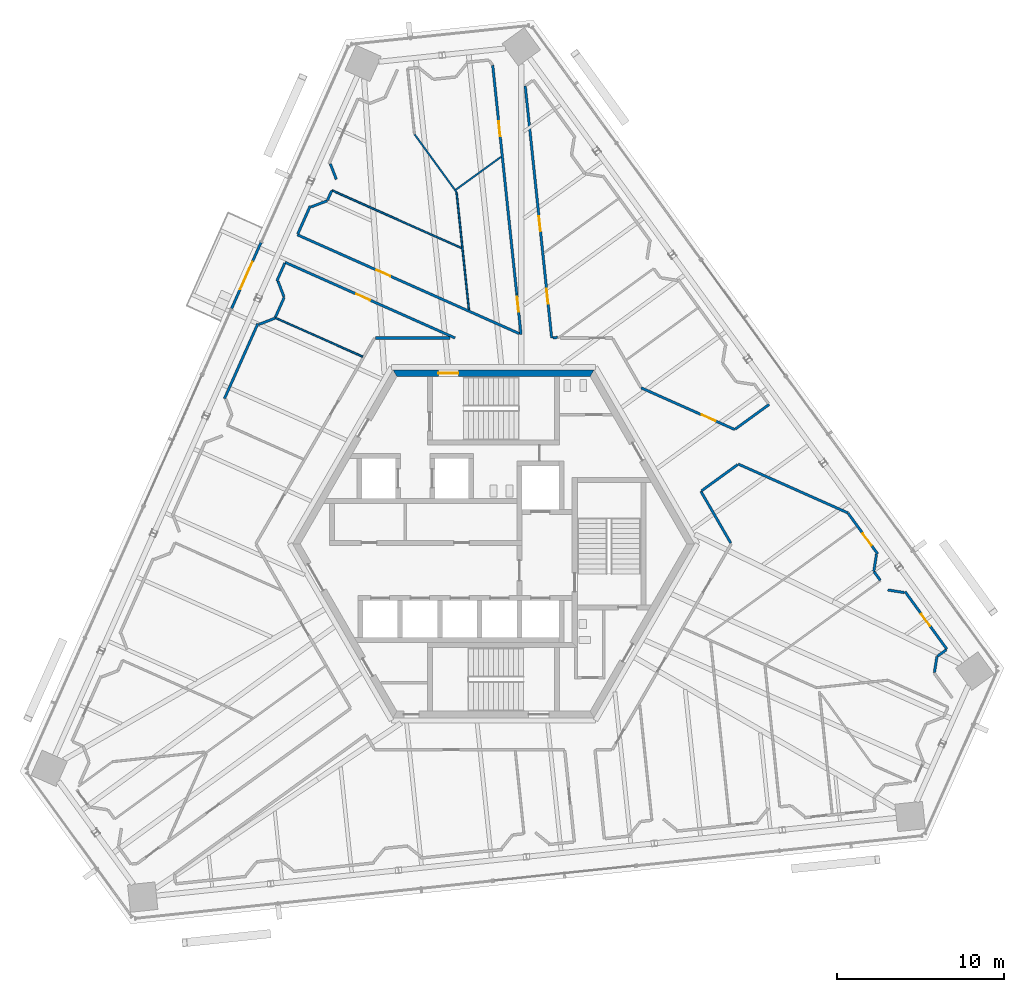
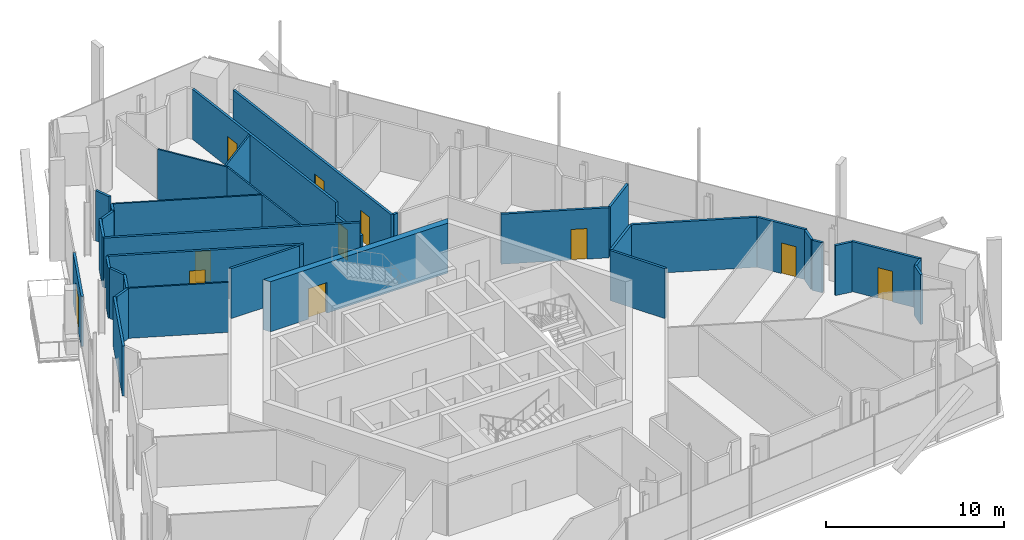
# One storey, part 14 of 21: 35 walls, 11 doors, 11 openings.
"""IFC4 building model written with IfcOpenShell, lengths in metres."""

from ifc_helpers import new_model, si_unit, direction, frame, frame_2d, origin, place, context, subcontext, project, spatial, polyline, rectangle, outline, extrude, source, transform, mapped, material, layer, layer_set, type_object, element, fill, save


model = new_model("IFC4")

# Units and contexts
model_context = context("Model", 3, precision=1e-05, world=origin(), true_north=direction((0.0, 1.0)))
body_context = subcontext(model_context, "Body", "Model", "MODEL_VIEW")
ifc_project = project(units=[si_unit("LENGTHUNIT", "METRE"), si_unit("AREAUNIT", "SQUARE_METRE"), si_unit("VOLUMEUNIT", "CUBIC_METRE"), si_unit("PLANEANGLEUNIT", "RADIAN"), si_unit("MASSUNIT", "GRAM", prefix="KILO")], contexts=[model_context])

# Site, building, storey
site_placement = place(None, origin())
site = spatial("IfcSite", under=ifc_project, at=site_placement, CompositionType="ELEMENT")
building_placement = place(site_placement, origin())
building = spatial("IfcBuilding", under=site, at=building_placement, Name="Triune Harvest Tower", CompositionType="ELEMENT")
storey_placement = place(building_placement, frame((0.0, 0.0, 248.5)))
storey = spatial("IfcBuildingStorey", under=building, at=storey_placement, Name="L65", CompositionType="ELEMENT", Elevation=248.5)

# Wall, opening, door
ifc_material_1 = material(Name="Gypsum board on steel studs", Category="steel")
ifc_layer_1 = layer(ifc_material_1, 0.14990234375)
ifc_layer_set_1 = layer_set([ifc_layer_1], Name="Gypsum board on steel studs")
wall_type_1 = type_object("IfcWallType", Name="Fire Partition 150 mm", PredefinedType="PARTITIONING", material=ifc_layer_set_1)
wall_1_placement = place(storey_placement, frame((-0.047607421875, 28.57568359375, 0.0), z_axis=(0.0, 0.0, 1.0), x_axis=(0.104541405627, -0.994520534986, 0.0)))
wall_1 = element("IfcWall", 1, at=wall_1_placement, inside=storey, type_object=wall_type_1, Name="Partition L65 005", PredefinedType="PARTITIONING", context=body_context, shape_type="SweptSolid", body=[
    extrude(rectangle(XDim=13.73876953125, YDim=0.14990234375, at=frame_2d((6.869384765625, 0.0))), origin(), (0.0, 0.0, 1.0), 3.43994140625),
])
opening_1_placement = place(wall_1_placement, frame((3.366943359375, 0.0, 0.0)))
opening_1 = element("IfcOpeningElement", 2, at=opening_1_placement, cuts=wall_1, Name="Opening L65-009", PredefinedType="OPENING", context=body_context, shape_type="SweptSolid", body=[
    extrude(rectangle(XDim=0.89990234375, YDim=2.10009765625, at=frame_2d((0.449951171875, 1.050048828125))), frame((0.0, 0.0849609375, 0.0), z_axis=(0.0, -1.0, 0.0), x_axis=(1.0, 0.0, 0.0)), (0.0, 0.0, 1.0), 0.169921875),
])
ifc_material_2 = material(Name="Timber and steel door set", Category="steel")
door_type_1 = type_object("IfcDoorType", Name="Single leaf door FD30 right hand 900 x 2100", OperationType="SINGLE_SWING_RIGHT", PredefinedType="DOOR", material=ifc_material_2)
door_1_placement = place(opening_1_placement, origin())
door_1 = element("IfcDoor", 3, at=door_1_placement, inside=storey, type_object=door_type_1, Name="Door L65-009 Pantry 65.09", OperationType="SINGLE_SWING_RIGHT", OverallHeight=2.10009765625, OverallWidth=0.89990234375, PredefinedType="DOOR", context=body_context, shape_type="SweptSolid", body=[
    extrude(rectangle(XDim=0.89990234375, YDim=2.10009765625, at=frame_2d((0.449951171875, 1.050048828125))), frame((0.0, 0.02490234375, 0.0), z_axis=(0.0, -1.0, 0.0), x_axis=(1.0, 0.0, 0.0)), (0.0, 0.0, 1.0), 0.050048828125),
])
fill(opening_1, door_1)

wall_2_placement = place(storey_placement, frame((1.388671875, 14.912109375, 0.0), z_axis=(0.0, 0.0, 1.0), x_axis=(0.104516409162, -0.994523162232, 0.0)))
wall_2 = element("IfcWall", 4, at=wall_2_placement, inside=storey, type_object=wall_type_1, Name="Partition L65 005a", PredefinedType="PARTITIONING", context=body_context, shape_type="SweptSolid", body=[
    extrude(rectangle(XDim=2.415283203125, YDim=0.14990234375, at=frame_2d((1.20751953125, 0.0))), origin(), (0.0, 0.0, 1.0), 2.525634765625),
])
opening_2_placement = place(wall_2_placement, frame((0.14990234375, 0.0, 0.0)))
opening_2 = element("IfcOpeningElement", 5, at=opening_2_placement, cuts=wall_2, Name="Opening L65-006", PredefinedType="OPENING", context=body_context, shape_type="SweptSolid", body=[
    extrude(rectangle(XDim=0.89990234375, YDim=2.10009765625, at=frame_2d((0.449951171875, 1.050048828125))), frame((0.0, 0.0849609375, 0.0), z_axis=(0.0, -1.0, 0.0), x_axis=(1.0, 0.0, 0.0)), (0.0, 0.0, 1.0), 0.169921875),
])
ifc_material_3 = material(Name="Timber and steel door set", Category="steel")
door_type_2 = type_object("IfcDoorType", Name="Single leaf door FD30 left hand 900 x 2100", OperationType="SINGLE_SWING_LEFT", PredefinedType="DOOR", material=ifc_material_3)
door_2_placement = place(opening_2_placement, origin())
door_2 = element("IfcDoor", 6, at=door_2_placement, inside=storey, type_object=door_type_2, Name="Door L65-006 Office 65.06", OperationType="SINGLE_SWING_LEFT", OverallHeight=2.10009765625, OverallWidth=0.89990234375, PredefinedType="DOOR", context=body_context, shape_type="SweptSolid", body=[
    extrude(rectangle(XDim=0.89990234375, YDim=2.10009765625, at=frame_2d((0.449951171875, 1.050048828125))), frame((0.0, 0.02490234375, 0.0), z_axis=(0.0, -1.0, 0.0), x_axis=(1.0, 0.0, 0.0)), (0.0, 0.0, 1.0), 0.050048828125),
])
fill(opening_2, door_2)

# Wall, openings, doors
wall_3_placement = place(storey_placement, frame((1.891845703125, 27.34228515625, 0.0), z_axis=(0.0, 0.0, 1.0), x_axis=(0.104542017197, -0.994520470699, 0.0)))
wall_3 = element("IfcWall", 7, at=wall_3_placement, inside=storey, type_object=wall_type_1, Name="Partition L65 007", PredefinedType="PARTITIONING", context=body_context, shape_type="SweptSolid", body=[
    extrude(rectangle(XDim=15.133056640625, YDim=0.14990234375, at=frame_2d((7.56640625, 0.0))), origin(), (0.0, 0.0, 1.0), 3.43994140625),
])
opening_3_placement = place(wall_3_placement, frame((7.820556640625, 0.0, 0.0)))
opening_3 = element("IfcOpeningElement", 8, at=opening_3_placement, cuts=wall_3, Name="Opening L65-007", PredefinedType="OPENING", context=body_context, shape_type="SweptSolid", body=[
    extrude(rectangle(XDim=0.89990234375, YDim=2.10009765625, at=frame_2d((0.449951171875, 1.050048828125))), frame((0.0, 0.0849609375, 0.0), z_axis=(0.0, -1.0, 0.0), x_axis=(1.0, 0.0, 0.0)), (0.0, 0.0, 1.0), 0.169921875),
])
opening_4_placement = place(wall_3_placement, frame((12.18310546875, 0.0, 0.0)))
opening_4 = element("IfcOpeningElement", 9, at=opening_4_placement, cuts=wall_3, Name="Opening L65-008", PredefinedType="OPENING", context=body_context, shape_type="SweptSolid", body=[
    extrude(rectangle(XDim=0.89990234375, YDim=2.10009765625, at=frame_2d((0.449951171875, 1.050048828125))), frame((0.0, 0.0849609375, 0.0), z_axis=(0.0, -1.0, 0.0), x_axis=(1.0, 0.0, 0.0)), (0.0, 0.0, 1.0), 0.169921875),
])
door_3_placement = place(opening_3_placement, origin())
door_3 = element("IfcDoor", 10, at=door_3_placement, inside=storey, type_object=door_type_1, Name="Door L65-007 Office 65.07", OperationType="SINGLE_SWING_RIGHT", OverallHeight=2.10009765625, OverallWidth=0.89990234375, PredefinedType="DOOR", context=body_context, shape_type="SweptSolid", body=[
    extrude(rectangle(XDim=0.89990234375, YDim=2.10009765625, at=frame_2d((0.449951171875, 1.050048828125))), frame((0.0, 0.02490234375, 0.0), z_axis=(0.0, -1.0, 0.0), x_axis=(1.0, 0.0, 0.0)), (0.0, 0.0, 1.0), 0.050048828125),
])
fill(opening_3, door_3)
door_4_placement = place(opening_4_placement, origin())
door_4 = element("IfcDoor", 11, at=door_4_placement, inside=storey, type_object=door_type_1, Name="Door L65-008 Office 65.08", OperationType="SINGLE_SWING_RIGHT", OverallHeight=2.10009765625, OverallWidth=0.89990234375, PredefinedType="DOOR", context=body_context, shape_type="SweptSolid", body=[
    extrude(rectangle(XDim=0.89990234375, YDim=2.10009765625, at=frame_2d((0.449951171875, 1.050048828125))), frame((0.0, 0.02490234375, 0.0), z_axis=(0.0, -1.0, 0.0), x_axis=(1.0, 0.0, 0.0)), (0.0, 0.0, 1.0), 0.050048828125),
])
fill(opening_4, door_4)

# Walls
wall_4_placement = place(storey_placement, frame((12.38232421875, 3.1376953125, 0.0), z_axis=(0.0, 0.0, 1.0), x_axis=(0.500033960396, -0.866005795853, 0.0)))
element("IfcWall", 12, at=wall_4_placement, inside=storey, type_object=wall_type_1, Name="Partition L65 024", PredefinedType="PARTITIONING", context=body_context, shape_type="SweptSolid", body=[
    extrude(rectangle(XDim=3.572998046875, YDim=0.14990234375, at=frame_2d((1.78662109375, 0.0))), origin(), (0.0, 0.0, 1.0), 3.43994140625),
])
wall_5_placement = place(storey_placement, frame((22.724365234375, -1.6669921875, 0.0), z_axis=(0.0, 0.0, 1.0), x_axis=(0.587708142098, -0.809073012596, 0.0)))
element("IfcWall", 13, at=wall_5_placement, inside=storey, type_object=wall_type_1, Name="Partition L65 035", PredefinedType="PARTITIONING", context=body_context, shape_type="SweptSolid", body=[
    extrude(rectangle(XDim=0.62646484375, YDim=0.14990234375, at=frame_2d((0.313232421875, 0.0))), origin(), (0.0, 0.0, 1.0), 3.43994140625),
])

# Wall, opening, door
wall_6_placement = place(storey_placement, frame((21.16796875, 1.83447265625, 0.0), z_axis=(0.0, 0.0, 1.0), x_axis=(0.587843905872, -0.808974376806, 0.0)))
wall_6 = element("IfcWall", 14, at=wall_6_placement, inside=storey, type_object=wall_type_1, Name="Partition L65 040", PredefinedType="PARTITIONING", context=body_context, shape_type="SweptSolid", body=[
    extrude(rectangle(XDim=3.011962890625, YDim=0.14990234375, at=frame_2d((1.505859375, 0.0))), origin(), (0.0, 0.0, 1.0), 3.43994140625),
])
opening_5_placement = place(wall_6_placement, frame((1.4951171875, 0.0, 0.0)))
opening_5 = element("IfcOpeningElement", 15, at=opening_5_placement, cuts=wall_6, Name="Opening L65-003", PredefinedType="OPENING", context=body_context, shape_type="SweptSolid", body=[
    extrude(rectangle(XDim=0.89990234375, YDim=2.10009765625, at=frame_2d((0.449951171875, 1.050048828125))), frame((0.0, 0.0849609375, 0.0), z_axis=(0.0, -1.0, 0.0), x_axis=(1.0, 0.0, 0.0)), (0.0, 0.0, 1.0), 0.169921875),
])
door_5_placement = place(opening_5_placement, origin())
door_5 = element("IfcDoor", 16, at=door_5_placement, inside=storey, type_object=door_type_2, Name="Door L65-003 Pantry 65.03", OperationType="SINGLE_SWING_LEFT", OverallHeight=2.10009765625, OverallWidth=0.89990234375, PredefinedType="DOOR", context=body_context, shape_type="SweptSolid", body=[
    extrude(rectangle(XDim=0.89990234375, YDim=2.10009765625, at=frame_2d((0.449951171875, 1.050048828125))), frame((0.0, 0.02490234375, 0.0), z_axis=(0.0, -1.0, 0.0), x_axis=(1.0, 0.0, 0.0)), (0.0, 0.0, 1.0), 0.050048828125),
])
fill(opening_5, door_5)

wall_7_placement = place(storey_placement, frame((-12.44189453125, 16.809814453125, 0.0), z_axis=(0.0, 0.0, 1.0), x_axis=(0.913539404644, -0.40675023806, 0.0)))
wall_7 = element("IfcWall", 17, at=wall_7_placement, inside=storey, type_object=wall_type_1, Name="Partition L65 056", PredefinedType="PARTITIONING", context=body_context, shape_type="SweptSolid", body=[
    extrude(rectangle(XDim=11.1064453125, YDim=0.14990234375, at=frame_2d((5.55322265625, 0.0))), origin(), (0.0, 0.0, 1.0), 3.43994140625),
])
opening_6_placement = place(wall_7_placement, frame((4.64990234375, 0.0, 0.0)))
opening_6 = element("IfcOpeningElement", 18, at=opening_6_placement, cuts=wall_7, Name="Opening L65-011", PredefinedType="OPENING", context=body_context, shape_type="SweptSolid", body=[
    extrude(rectangle(XDim=0.89990234375, YDim=2.10009765625, at=frame_2d((0.449951171875, 1.050048828125))), frame((0.0, 0.0849609375, 0.0), z_axis=(0.0, -1.0, 0.0), x_axis=(1.0, 0.0, 0.0)), (0.0, 0.0, 1.0), 0.169921875),
])
door_6_placement = place(opening_6_placement, origin())
door_6 = element("IfcDoor", 19, at=door_6_placement, inside=storey, type_object=door_type_1, Name="Door L65-011 Meeting Room 65.11", OperationType="SINGLE_SWING_RIGHT", OverallHeight=2.10009765625, OverallWidth=0.89990234375, PredefinedType="DOOR", context=body_context, shape_type="SweptSolid", body=[
    extrude(rectangle(XDim=0.89990234375, YDim=2.10009765625, at=frame_2d((0.449951171875, 1.050048828125))), frame((0.0, 0.02490234375, 0.0), z_axis=(0.0, -1.0, 0.0), x_axis=(1.0, 0.0, 0.0)), (0.0, 0.0, 1.0), 0.050048828125),
])
fill(opening_6, door_6)

# Wall
wall_8_placement = place(storey_placement, frame((14.617919921875, 4.761962890625, 0.0), z_axis=(0.0, 0.0, 1.0), x_axis=(0.913535623781, -0.406758729573, 0.0)))
element("IfcWall", 20, at=wall_8_placement, inside=storey, type_object=wall_type_1, Name="Partition L65 057", PredefinedType="PARTITIONING", context=body_context, shape_type="SweptSolid", body=[
    extrude(rectangle(XDim=7.156982421875, YDim=0.14990234375, at=frame_2d((3.57861328125, 0.0))), origin(), (0.0, 0.0, 1.0), 3.43994140625),
])

# Wall, opening, door
wall_9_placement = place(storey_placement, frame((-11.709716796875, 18.4541015625, 0.0), z_axis=(0.0, 0.0, 1.0), x_axis=(0.913544809916, -0.40673809789, 0.0)))
wall_9 = element("IfcWall", 21, at=wall_9_placement, inside=storey, type_object=wall_type_1, Name="Partition L65 058", PredefinedType="PARTITIONING", context=body_context, shape_type="SweptSolid", body=[
    extrude(rectangle(XDim=14.504150390625, YDim=0.14990234375, at=frame_2d((7.251953125, 0.0))), origin(), (0.0, 0.0, 1.0), 3.43994140625),
])
opening_7_placement = place(wall_9_placement, frame((5.169921875, 0.0, 0.0)))
opening_7 = element("IfcOpeningElement", 22, at=opening_7_placement, cuts=wall_9, Name="Opening L65-012", PredefinedType="OPENING", context=body_context, shape_type="SweptSolid", body=[
    extrude(rectangle(XDim=0.89990234375, YDim=2.10009765625, at=frame_2d((0.449951171875, 1.050048828125))), frame((0.0, 0.0849609375, 0.0), z_axis=(0.0, -1.0, 0.0), x_axis=(1.0, 0.0, 0.0)), (0.0, 0.0, 1.0), 0.169921875),
])
door_7_placement = place(opening_7_placement, origin())
door_7 = element("IfcDoor", 23, at=door_7_placement, inside=storey, type_object=door_type_2, Name="Door L65-012 Office 65.12", OperationType="SINGLE_SWING_LEFT", OverallHeight=2.10009765625, OverallWidth=0.89990234375, PredefinedType="DOOR", context=body_context, shape_type="SweptSolid", body=[
    extrude(rectangle(XDim=0.89990234375, YDim=2.10009765625, at=frame_2d((0.449951171875, 1.050048828125))), frame((0.0, 0.02490234375, 0.0), z_axis=(0.0, -1.0, 0.0), x_axis=(1.0, 0.0, 0.0)), (0.0, 0.0, 1.0), 0.050048828125),
])
fill(opening_7, door_7)

wall_10_placement = place(storey_placement, frame((8.815673828125, 9.315673828125, 0.0), z_axis=(0.0, 0.0, 1.0), x_axis=(0.913546220423, -0.406734929839, 0.0)))
wall_10 = element("IfcWall", 24, at=wall_10_placement, inside=storey, type_object=wall_type_1, Name="Partition L65 059", PredefinedType="PARTITIONING", context=body_context, shape_type="SweptSolid", body=[
    extrude(rectangle(XDim=6.113525390625, YDim=0.14990234375, at=frame_2d((3.056640625, 0.0))), origin(), (0.0, 0.0, 1.0), 3.43994140625),
])
opening_8_placement = place(wall_10_placement, frame((3.96337890625, 0.0, 0.0)))
opening_8 = element("IfcOpeningElement", 25, at=opening_8_placement, cuts=wall_10, Name="Opening L65-005", PredefinedType="OPENING", context=body_context, shape_type="SweptSolid", body=[
    extrude(rectangle(XDim=0.89990234375, YDim=2.10009765625, at=frame_2d((0.449951171875, 1.050048828125))), frame((0.0, 0.0849609375, 0.0), z_axis=(0.0, -1.0, 0.0), x_axis=(1.0, 0.0, 0.0)), (0.0, 0.0, 1.0), 0.169921875),
])
door_8_placement = place(opening_8_placement, origin())
door_8 = element("IfcDoor", 26, at=door_8_placement, inside=storey, type_object=door_type_1, Name="Door L65-005 Pantry 65.05", OperationType="SINGLE_SWING_RIGHT", OverallHeight=2.10009765625, OverallWidth=0.89990234375, PredefinedType="DOOR", context=body_context, shape_type="SweptSolid", body=[
    extrude(rectangle(XDim=0.89990234375, YDim=2.10009765625, at=frame_2d((0.449951171875, 1.050048828125))), frame((0.0, 0.02490234375, 0.0), z_axis=(0.0, -1.0, 0.0), x_axis=(1.0, 0.0, 0.0)), (0.0, 0.0, 1.0), 0.050048828125),
])
fill(opening_8, door_8)

# Walls
wall_11_placement = place(storey_placement, frame((-7.047119140625, 12.292236328125, 0.0), z_axis=(0.0, 0.0, 1.0), x_axis=(1.0, 0.0, 0.0)))
element("IfcWall", 27, at=wall_11_placement, inside=storey, type_object=wall_type_1, Name="Partition L65 069", PredefinedType="PARTITIONING", context=body_context, shape_type="SweptSolid", body=[
    extrude(rectangle(XDim=4.451416015625, YDim=0.14990234375, at=frame_2d((2.2255859375, 0.0))), origin(), (0.0, 0.0, 1.0), 3.43994140625),
])
wall_12_placement = place(storey_placement, frame((-14.015380859375, 13.101806640625, 0.0), z_axis=(0.0, 0.0, 1.0), x_axis=(0.933563070991, 0.358413158913, 0.0)))
element("IfcWall", 28, at=wall_12_placement, inside=storey, type_object=wall_type_1, Name="Partition L65 094", PredefinedType="PARTITIONING", context=body_context, shape_type="SweptSolid", body=[
    extrude(rectangle(XDim=1.040771484375, YDim=0.14990234375, at=frame_2d((0.5205078125, 0.0))), origin(), (0.0, 0.0, 1.0), 3.43994140625),
])
wall_13_placement = place(storey_placement, frame((12.4228515625, 3.1669921875, 0.0), z_axis=(0.0, 0.0, 1.0), x_axis=(0.809005564654, 0.587800983633, 0.0)))
element("IfcWall", 29, at=wall_13_placement, inside=storey, type_object=wall_type_1, Name="Partition L65 101", PredefinedType="PARTITIONING", context=body_context, shape_type="SweptSolid", body=[
    extrude(rectangle(XDim=2.6630859375, YDim=0.14990234375, at=frame_2d((1.33154296875, 0.0))), origin(), (0.0, 0.0, 1.0), 3.43994140625),
])
wall_14_placement = place(storey_placement, frame((14.432861328125, 6.852783203125, 0.0), z_axis=(0.0, 0.0, 1.0), x_axis=(0.808993704326, 0.587817306959, 0.0)))
element("IfcWall", 30, at=wall_14_placement, inside=storey, type_object=wall_type_1, Name="Partition L65 103", PredefinedType="PARTITIONING", context=body_context, shape_type="SweptSolid", body=[
    extrude(rectangle(XDim=2.4990234375, YDim=0.14990234375, at=frame_2d((1.24951171875, 0.0))), origin(), (0.0, 0.0, 1.0), 3.43994140625),
])
wall_15_placement = place(storey_placement, frame((-13.027099609375, 13.531494140625, 0.0), z_axis=(0.0, 0.0, 1.0), x_axis=(0.406730757811, 0.913548077909, 0.0)))
element("IfcWall", 31, at=wall_15_placement, inside=storey, type_object=wall_type_1, Name="Partition L65 129", PredefinedType="PARTITIONING", context=body_context, shape_type="SweptSolid", body=[
    extrude(rectangle(XDim=1.300048828125, YDim=0.14990234375, at=frame_2d((0.64990234375, 0.0))), origin(), (0.0, 0.0, 1.0), 3.43994140625),
])
wall_16_placement = place(storey_placement, frame((-11.685546875, 18.5087890625, 0.0), z_axis=(0.0, 0.0, 1.0), x_axis=(0.406650467395, 0.913583820658, 0.0)))
element("IfcWall", 32, at=wall_16_placement, inside=storey, type_object=wall_type_1, Name="Partition L65 136", PredefinedType="PARTITIONING", context=body_context, shape_type="SweptSolid", body=[
    extrude(rectangle(XDim=1.813720703125, YDim=0.14990234375, at=frame_2d((0.90673828125, 0.0))), origin(), (0.0, 0.0, 1.0), 3.43994140625),
])
wall_17_placement = place(storey_placement, frame((26.326171875, -7.683349609375, 0.0), z_axis=(0.0, 0.0, 1.0), x_axis=(0.156508749147, 0.987676572285, 0.0)))
element("IfcWall", 33, at=wall_17_placement, inside=storey, type_object=wall_type_1, Name="Partition L65 138", PredefinedType="PARTITIONING", context=body_context, shape_type="SweptSolid", body=[
    extrude(rectangle(XDim=0.964111328125, YDim=0.14990234375, at=frame_2d((0.48193359375, 0.0))), origin(), (0.0, 0.0, 1.0), 3.43994140625),
])
wall_18_placement = place(storey_placement, frame((3.54833984375, 12.300537109375, 0.0), z_axis=(0.0, 0.0, 1.0), x_axis=(0.99400055136, 0.109375060669, 0.0)))
element("IfcWall", 34, at=wall_18_placement, inside=storey, type_object=wall_type_1, Name="Partition L65 144", PredefinedType="PARTITIONING", context=body_context, shape_type="SweptSolid", body=[
    extrude(rectangle(XDim=0.279052734375, YDim=0.14990234375, at=frame_2d((0.1396484375, 0.0))), origin(), (0.0, 0.0, 1.0), 3.43994140625),
])
ifc_material_4 = material(Name="Gypsum board on steel studs", Category="steel")
ifc_layer_2 = layer(ifc_material_4, 0.10009765625)
ifc_layer_set_2 = layer_set([ifc_layer_2], Name="Gypsum board on steel studs")
wall_type_2 = type_object("IfcWallType", Name="Partition 100 mm", PredefinedType="PARTITIONING", material=ifc_layer_set_2)
wall_19_placement = place(storey_placement, frame((-2.20703125, 21.0, 0.0), z_axis=(0.0, 0.0, 1.0), x_axis=(0.104522744116, -0.994522496459, 0.0)))
element("IfcWall", 35, at=wall_19_placement, inside=storey, type_object=wall_type_2, Name="Partition L65 003", PredefinedType="PARTITIONING", context=body_context, shape_type="SweptSolid", body=[
    extrude(rectangle(XDim=7.05859375, YDim=0.10009765625, at=frame_2d((3.529296875, 0.0))), origin(), (0.0, 0.0, 1.0), 3.43994140625),
])
wall_20_placement = place(storey_placement, frame((-4.720947265625, 24.459716796875, 0.0), z_axis=(0.0, 0.0, 1.0), x_axis=(0.587791448796, -0.809012492316, 0.0)))
element("IfcWall", 36, at=wall_20_placement, inside=storey, type_object=wall_type_2, Name="Partition L65 028", PredefinedType="PARTITIONING", context=body_context, shape_type="SweptSolid", body=[
    extrude(rectangle(XDim=4.2763671875, YDim=0.10009765625, at=frame_2d((2.13818359375, 0.0))), origin(), (0.0, 0.0, 1.0), 3.43994140625),
])
wall_21_placement = place(storey_placement, frame((-13.039794921875, 13.504150390625, 0.0), z_axis=(0.0, 0.0, 1.0), x_axis=(0.91353520715, -0.406759665278, 0.0)))
element("IfcWall", 37, at=wall_21_placement, inside=storey, type_object=wall_type_2, Name="Partition L65 055", PredefinedType="PARTITIONING", context=body_context, shape_type="SweptSolid", body=[
    extrude(rectangle(XDim=5.72412109375, YDim=0.10009765625, at=frame_2d((2.862060546875, 0.0))), origin(), (0.0, 0.0, 1.0), 3.43994140625),
])
wall_22_placement = place(storey_placement, frame((-9.6533203125, 21.1103515625, 0.0), z_axis=(0.0, 0.0, 1.0), x_axis=(0.91354249113, -0.406743305908, 0.0)))
element("IfcWall", 38, at=wall_22_placement, inside=storey, type_object=wall_type_2, Name="Partition L65 060", PredefinedType="PARTITIONING", context=body_context, shape_type="SweptSolid", body=[
    extrude(rectangle(XDim=8.53759765625, YDim=0.10009765625, at=frame_2d((4.268798828125, 0.0))), origin(), (0.0, 0.0, 1.0), 3.43994140625),
])
wall_23_placement = place(storey_placement, frame((-2.267578125, 21.134033203125, 0.0), z_axis=(0.0, 0.0, 1.0), x_axis=(0.809000126282, 0.58780846853, 0.0)))
element("IfcWall", 39, at=wall_23_placement, inside=storey, type_object=wall_type_2, Name="Partition L65 109", PredefinedType="PARTITIONING", context=body_context, shape_type="SweptSolid", body=[
    extrude(rectangle(XDim=3.357666015625, YDim=0.10009765625, at=frame_2d((1.6787109375, 0.0))), origin(), (0.0, 0.0, 1.0), 3.43994140625),
])

# Wall, opening, door
ifc_material_5 = material(Name="Concrete 70 MPa", Category="concrete")
ifc_layer_3 = layer(ifc_material_5, 0.39990234375)
ifc_layer_set_3 = layer_set([ifc_layer_3], Name="Concrete 70 MPa")
wall_type_3 = type_object("IfcWallType", Name="Core wall 400", PredefinedType="SHEAR", material=ifc_layer_set_3)
shared_shape_1 = source(origin(), body_context, "Body", "SweptSolid", [
    extrude(outline(polyline([(-0.115478515625, -0.199951171875), (11.884521484375, -0.199951171875), (11.653564453125, 0.199951171875), (0.115478515625, 0.199951171875), (-0.115478515625, -0.199951171875)])), origin(), (0.0, 0.0, 1.0), 3.43994140625),
])
wall_24_placement = place(storey_placement, frame((5.884521484375, 10.1923828125, 0.0), z_axis=(0.0, 0.0, 1.0), x_axis=(-1.0, 0.0, 0.0)))
wall_24 = element("IfcWall", 40, at=wall_24_placement, inside=storey, type_object=wall_type_3, Name="Hexagon 1 wall", PredefinedType="SHEAR", context=body_context, shape_type="MappedRepresentation", body=[
    mapped(shared_shape_1, transform((0.0, 0.0, 0.0), scale=1.0)),
])
opening_9_placement = place(wall_24_placement, frame((7.984619140625, 0.0, 0.0)))
opening_9 = element("IfcOpeningElement", 41, at=opening_9_placement, cuts=wall_24, Name="Opening CD-S1P", PredefinedType="OPENING", context=body_context, shape_type="SweptSolid", body=[
    extrude(rectangle(XDim=1.199951171875, YDim=2.10009765625, at=frame_2d((0.60009765625, 1.050048828125))), frame((0.0, 0.2099609375, 0.0), z_axis=(0.0, -1.0, 0.0), x_axis=(1.0, 0.0, 0.0)), (0.0, 0.0, 1.0), 0.419921875),
])
ifc_material_6 = material(Name="Steel S235", Category="steel")
door_type_3 = type_object("IfcDoorType", Name="Stair door 1200 FD120", OperationType="SINGLE_SWING_LEFT", PredefinedType="DOOR", material=ifc_material_6)
door_9_placement = place(opening_9_placement, frame((1.199951171875, 0.0, 0.0), z_axis=(0.0, 0.0, 1.0), x_axis=(-1.0, 0.0, 0.0)))
door_9 = element("IfcDoor", 42, at=door_9_placement, inside=storey, type_object=door_type_3, Name="Door CD-S1P", OperationType="SINGLE_SWING_RIGHT", OverallHeight=2.10009765625, OverallWidth=1.199951171875, PredefinedType="DOOR", context=body_context, shape_type="SweptSolid", body=[
    extrude(rectangle(XDim=1.199951171875, YDim=2.10009765625, at=frame_2d((0.60009765625, 1.050048828125))), frame((0.0, 0.02490234375, 0.0), z_axis=(0.0, -1.0, 0.0), x_axis=(1.0, 0.0, 0.0)), (0.0, 0.0, 1.0), 0.050048828125),
])
fill(opening_9, door_9)

ifc_material_7 = material(Name="Aluminium bronze anodised", Category="aluminium")
ifc_layer_4 = layer(ifc_material_7, 0.14990234375)
ifc_layer_set_4 = layer_set([ifc_layer_4], Name="Aluminium bronze anodised")
wall_type_4 = type_object("IfcWallType", Name="WW-2 balcony window wall", PredefinedType="ELEMENTEDWALL", material=ifc_layer_set_4)
shared_shape_2 = source(origin(), body_context, "Body", "SweptSolid", [
    extrude(rectangle(XDim=4.31640625, YDim=0.14990234375, at=frame_2d((2.158203125, 0.0))), origin(), (0.0, 0.0, 1.0), 3.43994140625),
])
wall_25_placement = place(storey_placement, frame((-15.640625, 14.051025390625, 0.0), z_axis=(0.0, 0.0, 1.0), x_axis=(0.406741906619, 0.913543114144, 0.0)))
wall_25 = element("IfcWall", 43, at=wall_25_placement, inside=storey, type_object=wall_type_4, Name="WW-2 B6-F3 L65.4", PredefinedType="ELEMENTEDWALL", context=body_context, shape_type="MappedRepresentation", body=[
    mapped(shared_shape_2, transform((0.0, 0.0, 0.0), scale=1.0)),
])
opening_10_placement = place(wall_25_placement, frame((1.25830078125, 0.0, 0.0)))
opening_10 = element("IfcOpeningElement", 44, at=opening_10_placement, cuts=wall_25, Name="Opening L65-E01", PredefinedType="OPENING", context=body_context, shape_type="SweptSolid", body=[
    extrude(rectangle(XDim=1.800048828125, YDim=2.39990234375, at=frame_2d((0.89990234375, 1.199951171875))), frame((0.0, 0.0849609375, 0.0), z_axis=(0.0, -1.0, 0.0), x_axis=(1.0, 0.0, 0.0)), (0.0, 0.0, 1.0), 0.169921875),
])
ifc_material_8 = material(Name="Glass", Category="glass")
door_type_4 = type_object("IfcDoorType", Name="DB-1 balcony door 1800 x 2400", OperationType="DOUBLE_DOOR_SINGLE_SWING", PredefinedType="DOOR", material=ifc_material_8)
door_10_placement = place(opening_10_placement, origin())
door_10 = element("IfcDoor", 45, at=door_10_placement, inside=storey, type_object=door_type_4, Name="Door L65-E01", OperationType="DOUBLE_DOOR_SINGLE_SWING", OverallHeight=2.39990234375, OverallWidth=1.800048828125, PredefinedType="DOOR", context=body_context, shape_type="SweptSolid", body=[
    extrude(rectangle(XDim=1.800048828125, YDim=2.39990234375, at=frame_2d((0.89990234375, 1.199951171875))), frame((0.0, 0.02490234375, 0.0), z_axis=(0.0, -1.0, 0.0), x_axis=(1.0, 0.0, 0.0)), (0.0, 0.0, 1.0), 0.050048828125),
])
fill(opening_10, door_10)

# Walls
shared_shape_3 = source(origin(), body_context, "Body", "SweptSolid", [
    extrude(rectangle(XDim=1.17529296875, YDim=0.14990234375, at=frame_2d((0.587646484375, 0.0))), origin(), (0.0, 0.0, 1.0), 3.43994140625),
])
wall_26_placement = place(storey_placement, frame((-12.940673828125, 15.689697265625, 0.0), z_axis=(0.0, 0.0, 1.0), x_axis=(0.406716575607, 0.913554391991, 0.0)))
element("IfcWall", 46, at=wall_26_placement, inside=storey, type_object=wall_type_1, Name="Partition L65 135", PredefinedType="PARTITIONING", context=body_context, shape_type="MappedRepresentation", body=[
    mapped(shared_shape_3, transform((0.0, 0.0, 0.0), scale=1.0)),
])
shared_shape_4 = source(origin(), body_context, "Body", "SweptSolid", [
    extrude(rectangle(XDim=0.65966796875, YDim=0.14990234375, at=frame_2d((0.329833984375, 0.0))), origin(), (0.0, 0.0, 1.0), 3.43994140625),
])
wall_27_placement = place(storey_placement, frame((26.501220703125, -6.71337890625, 0.0), z_axis=(0.0, 0.0, 1.0), x_axis=(0.809056057934, 0.587731482159, 0.0)))
element("IfcWall", 47, at=wall_27_placement, inside=storey, type_object=wall_type_1, Name="Partition L65 097", PredefinedType="PARTITIONING", context=body_context, shape_type="MappedRepresentation", body=[
    mapped(shared_shape_4, transform((0.0, 0.0, 0.0), scale=1.0)),
])
shared_shape_5 = source(origin(), body_context, "Body", "SweptSolid", [
    extrude(rectangle(XDim=0.9990234375, YDim=0.14990234375, at=frame_2d((0.49951171875, 0.0))), origin(), (0.0, 0.0, 1.0), 3.43994140625),
])
for number, where, z_axis, x_axis, name in (
    (48, (-12.867919921875, 15.6796875, 0.0), (0.0, 0.0, 1.0), (0.358504131198, -0.933528139862, 0.0), "Partition L65 018"),
    (49, (-9.744384765625, 22.6953125, 0.0), (0.0, 0.0, 1.0), (0.358504131198, -0.933528139862, 0.0), "Partition L65 019"),
    (50, (23.5400390625, -2.752685546875, 0.0), (0.0, 0.0, 1.0), (0.987695509603, -0.156389194989, 0.0), "Partition L65 063"),
):
    element("IfcWall", number, at=place(storey_placement, frame(where, z_axis=z_axis, x_axis=x_axis)), inside=storey, type_object=wall_type_1, Name=name, PredefinedType="PARTITIONING", context=body_context, shape_type="MappedRepresentation", body=[
        mapped(shared_shape_5, transform((0.0, 0.0, 0.0), scale=1.0)),
    ])

# Wall, opening, door
shared_shape_6 = source(origin(), body_context, "Body", "SweptSolid", [
    extrude(rectangle(XDim=4.26025390625, YDim=0.14990234375, at=frame_2d((2.130126953125, 0.0))), origin(), (0.0, 0.0, 1.0), 3.43994140625),
])
wall_28_placement = place(storey_placement, frame((24.571044921875, -2.849365234375, 0.0), z_axis=(0.0, 0.0, 1.0), x_axis=(0.587800222867, -0.809006117404, 0.0)))
wall_28 = element("IfcWall", 51, at=wall_28_placement, inside=storey, type_object=wall_type_1, Name="Partition L65 041", PredefinedType="PARTITIONING", context=body_context, shape_type="MappedRepresentation", body=[
    mapped(shared_shape_6, transform((0.0, 0.0, 0.0), scale=1.0)),
])
opening_11_placement = place(wall_28_placement, frame((1.650390625, 0.0, 0.0)))
opening_11 = element("IfcOpeningElement", 52, at=opening_11_placement, cuts=wall_28, Name="Opening L65-001", PredefinedType="OPENING", context=body_context, shape_type="SweptSolid", body=[
    extrude(rectangle(XDim=0.89990234375, YDim=2.10009765625, at=frame_2d((0.449951171875, 1.050048828125))), frame((0.0, 0.0849609375, 0.0), z_axis=(0.0, -1.0, 0.0), x_axis=(1.0, 0.0, 0.0)), (0.0, 0.0, 1.0), 0.169921875),
])
door_11_placement = place(opening_11_placement, origin())
door_11 = element("IfcDoor", 53, at=door_11_placement, inside=storey, type_object=door_type_1, Name="Door L65-001 Project Room 65.01", OperationType="SINGLE_SWING_RIGHT", OverallHeight=2.10009765625, OverallWidth=0.89990234375, PredefinedType="DOOR", context=body_context, shape_type="SweptSolid", body=[
    extrude(rectangle(XDim=0.89990234375, YDim=2.10009765625, at=frame_2d((0.449951171875, 1.050048828125))), frame((0.0, 0.02490234375, 0.0), z_axis=(0.0, -1.0, 0.0), x_axis=(1.0, 0.0, 0.0)), (0.0, 0.0, 1.0), 0.050048828125),
])
fill(opening_11, door_11)

# Walls
shared_shape_7 = source(origin(), body_context, "Body", "SweptSolid", [
    extrude(rectangle(XDim=4.901123046875, YDim=0.14990234375, at=frame_2d((2.45068359375, 0.0))), origin(), (0.0, 0.0, 1.0), 3.43994140625),
])
wall_29_placement = place(storey_placement, frame((-16.064697265625, 8.673095703125, 0.0), z_axis=(0.0, 0.0, 1.0), x_axis=(0.40671610298, 0.913554602406, 0.0)))
element("IfcWall", 54, at=wall_29_placement, inside=storey, type_object=wall_type_1, Name="Partition L65 134", PredefinedType="PARTITIONING", context=body_context, shape_type="MappedRepresentation", body=[
    mapped(shared_shape_7, transform((0.0, 0.0, 0.0), scale=1.0)),
])
shared_shape_8 = source(origin(), body_context, "Body", "SweptSolid", [
    extrude(rectangle(XDim=1.029296875, YDim=0.14990234375, at=frame_2d((0.5146484375, 0.0))), origin(), (0.0, 0.0, 1.0), 3.43994140625),
])
wall_30_placement = place(storey_placement, frame((22.707275390625, -1.642333984375, 0.0), z_axis=(0.0, 0.0, 1.0), x_axis=(0.156315801439, 0.987707127756, 0.0)))
element("IfcWall", 55, at=wall_30_placement, inside=storey, type_object=wall_type_1, Name="Partition L65 139", PredefinedType="PARTITIONING", context=body_context, shape_type="MappedRepresentation", body=[
    mapped(shared_shape_8, transform((0.0, 0.0, 0.0), scale=1.0)),
])
shared_shape_9 = source(origin(), body_context, "Body", "SweptSolid", [
    extrude(rectangle(XDim=1.029052734375, YDim=0.14990234375, at=frame_2d((0.5146484375, 0.0))), origin(), (0.0, 0.0, 1.0), 3.43994140625),
])
wall_31_placement = place(storey_placement, frame((-10.89208984375, 20.1171875, 0.0), z_axis=(0.0, 0.0, 1.0), x_axis=(0.933541129781, 0.358470304218, 0.0)))
element("IfcWall", 56, at=wall_31_placement, inside=storey, type_object=wall_type_1, Name="Partition L65 095", PredefinedType="PARTITIONING", context=body_context, shape_type="MappedRepresentation", body=[
    mapped(shared_shape_9, transform((0.0, 0.0, 0.0), scale=1.0)),
])
shared_shape_10 = source(origin(), body_context, "Body", "SweptSolid", [
    extrude(rectangle(XDim=0.62890625, YDim=0.14990234375, at=frame_2d((0.314453125, 0.0))), origin(), (0.0, 0.0, 1.0), 3.43994140625),
])
wall_32_placement = place(storey_placement, frame((-9.9189453125, 20.51220703125, 0.0), z_axis=(0.0, 0.0, 1.0), x_axis=(0.406858755519, 0.9134910799, 0.0)))
element("IfcWall", 57, at=wall_32_placement, inside=storey, type_object=wall_type_1, Name="Partition L65 130", PredefinedType="PARTITIONING", context=body_context, shape_type="MappedRepresentation", body=[
    mapped(shared_shape_10, transform((0.0, 0.0, 0.0), scale=1.0)),
])

save(model, "model.ifc")
